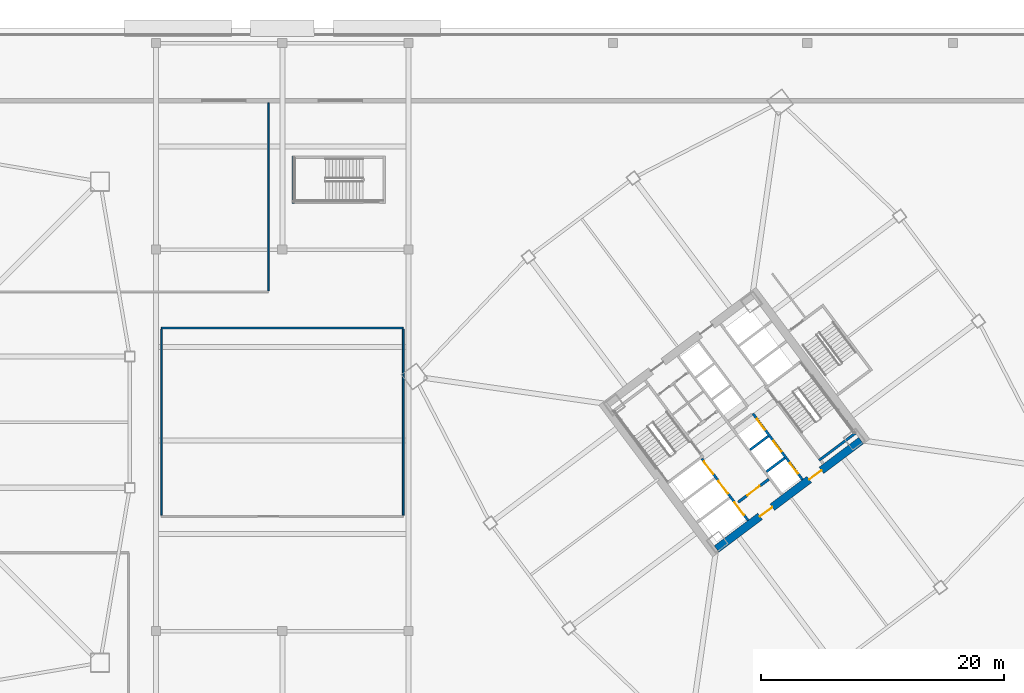
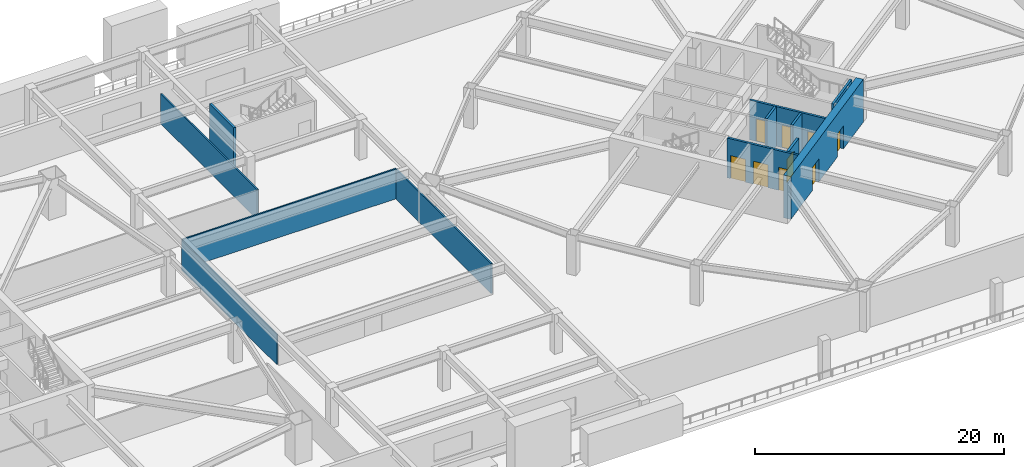
# One storey, part 8 of 20: 12 walls, 9 doors, 9 openings.
"""IFC4 building model written with IfcOpenShell, lengths in metres."""

import ifcopenshell
import ifcopenshell.guid

model = None  # the IFC model being written
_history = None  # IfcOwnerHistory: only IFC2X3 demands one
_inside = {}  # id of a spatial element -> (the spatial element, [elements in it])
_under = {}  # id of a project, library or spatial element -> (it, [spatial elements below it])
_declared = {}  # id of a project -> (the project, [libraries it declares])
_typed = {}  # id of a type object -> (the type object, [elements of that type])
_made_of = {}  # id of a material, layer set ... -> (it, [elements and type objects made of it])


def new_model(schema):
    """Start an empty IFC model of exactly this schema.

    Asked for "IFC4X3", IfcOpenShell would pick the latest addendum, in which some entities
    have other attributes; the version numbers below select the first issue.
    IFC2X3 requires an IfcOwnerHistory on every rooted entity: one is made here for all.
    """
    global model, _history
    if schema == "IFC4X3":
        model = ifcopenshell.file(schema_version=(4, 3, 0, 0))
    else:
        model = ifcopenshell.file(schema=schema)
    _inside.clear()
    _under.clear()
    _declared.clear()
    _typed.clear()
    _made_of.clear()
    _history = None
    if model.schema == "IFC2X3":
        org = make("IfcOrganization", Name="unknown")
        user = make(
            "IfcPersonAndOrganization",
            ThePerson=make("IfcPerson", FamilyName="unknown"),
            TheOrganization=org,
        )
        app = make(
            "IfcApplication",
            ApplicationDeveloper=org,
            Version="unknown",
            ApplicationFullName="unknown",
            ApplicationIdentifier="unknown",
        )
        _history = make(
            "IfcOwnerHistory",
            OwningUser=user,
            OwningApplication=app,
            ChangeAction="ADDED",
            CreationDate=0,
        )
    return model


def make(cls, **values):
    """One entity of the class cls with the attributes given. An attribute that is None is left unset."""
    return model.create_entity(
        cls, **{name: value for name, value in values.items() if value is not None}
    )


def rooted(cls, **values):
    """An entity with a GlobalId (a new one), such as an element, a storey or a relation."""
    return make(cls, GlobalId=ifcopenshell.guid.new(), OwnerHistory=_history, **values)


def si_unit(unit_type, name, prefix=None):
    """IfcSIUnit, for example si_unit("LENGTHUNIT", "METRE", prefix="MILLI")."""
    return make("IfcSIUnit", UnitType=unit_type, Prefix=prefix, Name=name)


def assignment(units):
    """IfcUnitAssignment: the units of a project."""
    return None if units is None else make("IfcUnitAssignment", Units=units)


def point(xyz):
    """IfcCartesianPoint."""
    return None if xyz is None else make("IfcCartesianPoint", Coordinates=xyz)


def direction(xyz):
    """IfcDirection."""
    return None if xyz is None else make("IfcDirection", DirectionRatios=xyz)


def frame(location, z_axis=None, x_axis=None):
    """IfcAxis2Placement3D, a coordinate frame: its origin and axes. An axis left out is left unset."""
    return make(
        "IfcAxis2Placement3D",
        Location=point(location),
        Axis=direction(z_axis),
        RefDirection=direction(x_axis),
    )


def frame_2d(location, x_axis=None):
    """IfcAxis2Placement2D, a coordinate frame in the plane: its origin and x axis."""
    return make(
        "IfcAxis2Placement2D", Location=point(location), RefDirection=direction(x_axis)
    )


def origin():
    """The frame at (0, 0, 0) with its axes left unset."""
    return frame((0.0, 0.0, 0.0))


def place(relative_to, where):
    """IfcLocalPlacement: puts the frame where relative to a parent placement (None: the world)."""
    return make(
        "IfcLocalPlacement", PlacementRelTo=relative_to, RelativePlacement=where
    )


def context(
    kind, dimensions, precision=None, world=None, true_north=None, identifier=None
):
    """IfcGeometricRepresentationContext, for example the 3D "Model" context."""
    return make(
        "IfcGeometricRepresentationContext",
        ContextIdentifier=identifier,
        ContextType=kind,
        CoordinateSpaceDimension=dimensions,
        Precision=precision,
        WorldCoordinateSystem=world,
        TrueNorth=true_north,
    )


def subcontext(parent, identifier, kind, view, scale=None):
    """IfcGeometricRepresentationSubContext, for example "Body" below "Model"."""
    return make(
        "IfcGeometricRepresentationSubContext",
        ContextIdentifier=identifier,
        ContextType=kind,
        ParentContext=parent,
        TargetScale=scale,
        TargetView=view,
    )


def project(units=None, contexts=None):
    """IfcProject with its units and contexts."""
    return rooted(
        "IfcProject",
        Name="project",
        RepresentationContexts=contexts,
        UnitsInContext=assignment(units),
    )


def spatial(cls, under=None, at=None, **own):
    """A site, building, storey or space (cls), placed at a placement, below another one or the project."""
    s = rooted(cls, ObjectPlacement=at, **own)
    if under is not None:
        _under.setdefault(under.id(), (under, []))[1].append(s)
    return s


def profile(cls, at=None, kind="AREA", **sizes):
    """A parametric profile (cls). Its sizes go by their IFC names, for example OverallWidth=200.0."""
    return make(cls, ProfileType=kind, Position=at, **sizes)


def rectangle(**sizes):
    """IfcRectangleProfileDef."""
    return profile("IfcRectangleProfileDef", **sizes)


def extrude(swept, where, along, depth):
    """IfcExtrudedAreaSolid: the profile swept, set in the frame where, extruded along a direction by depth."""
    return make(
        "IfcExtrudedAreaSolid",
        SweptArea=swept,
        Position=where,
        ExtrudedDirection=direction(along),
        Depth=depth,
    )


def shape(context_of_items, identifier, shape_type, items):
    """IfcShapeRepresentation: the items that make up one representation, for example the "Body"."""
    return make(
        "IfcShapeRepresentation",
        ContextOfItems=context_of_items,
        RepresentationIdentifier=identifier,
        RepresentationType=shape_type,
        Items=items,
    )


def material(Name=None, Category=None):
    """IfcMaterial."""
    return make("IfcMaterial", Name=Name, Category=Category)


def layer(
    of_material, thickness, ventilated=None, Name=None, Category=None, Priority=None
):
    """IfcMaterialLayer: one layer of a wall or slab, of a material (None: an air gap)."""
    return make(
        "IfcMaterialLayer",
        Material=of_material,
        LayerThickness=thickness,
        IsVentilated=ventilated,
        Name=Name,
        Category=Category,
        Priority=Priority,
    )


def layer_set(layers, Name=None):
    """IfcMaterialLayerSet."""
    return make("IfcMaterialLayerSet", MaterialLayers=layers, LayerSetName=Name)


def made_of(thing, what):
    """Note that an element or type object is made of a material, layer set ...; save() writes the relation."""
    if what is not None:
        _made_of.setdefault(what.id(), (what, []))[1].append(thing)
    return thing


def type_object(cls, material=None, **own):
    """A type object (cls), such as IfcWallType, which elements share."""
    return made_of(rooted(cls, **own), material)


def element(
    cls,
    number,
    at=None,
    inside=None,
    cuts=None,
    type_object=None,
    material=None,
    context=None,
    identifier="Body",
    shape_type=None,
    held_by="IfcProductDefinitionShape",
    body=None,
    shapes=None,
    **own,
):
    """One element of the class cls, such as IfcWall. Its Tag is "e" and its number.

    at: its placement. inside: the storey or other place that contains it. cuts: it is an
    opening in that element (IfcRelVoidsElement). A single representation is given by context,
    identifier, shape_type and body (its items); several are given by shapes. held_by: the class
    of the entity that holds the representations. save() writes the other relations.
    """
    e = rooted(cls, Tag="e%d" % number, ObjectPlacement=at, **own)
    if body is not None:
        shapes = [shape(context, identifier, shape_type, body)]
    if shapes is not None:
        e.Representation = make(held_by, Representations=shapes)
    if inside is not None:
        _inside.setdefault(inside.id(), (inside, []))[1].append(e)
    if cuts is not None:
        rooted(
            "IfcRelVoidsElement", RelatingBuildingElement=cuts, RelatedOpeningElement=e
        )
    if type_object is not None:
        _typed.setdefault(type_object.id(), (type_object, []))[1].append(e)
    return made_of(e, material)


def fill(opening, filler):
    """IfcRelFillsElement: the door or window that sits in an opening."""
    return rooted(
        "IfcRelFillsElement",
        RelatingOpeningElement=opening,
        RelatedBuildingElement=filler,
    )


def aggregate(whole, parts):
    """IfcRelAggregates: a whole, such as a stair, and the parts it consists of."""
    return rooted("IfcRelAggregates", RelatingObject=whole, RelatedObjects=parts)


def save(model, path):
    """Write the relations noted so far, then the file.

    IfcRelAggregates (storeys below a building ...), IfcRelContainedInSpatialStructure (elements
    in a storey), IfcRelDefinesByType, IfcRelAssociatesMaterial and IfcRelDeclares: one each for
    every whole, place, type object, material and project.
    """
    for whole, parts in _under.values():
        aggregate(whole, parts)
    for where, things in _inside.values():
        rooted(
            "IfcRelContainedInSpatialStructure",
            RelatedElements=things,
            RelatingStructure=where,
        )
    for kind, things in _typed.values():
        rooted("IfcRelDefinesByType", RelatedObjects=things, RelatingType=kind)
    for what, things in _made_of.values():
        rooted("IfcRelAssociatesMaterial", RelatedObjects=things, RelatingMaterial=what)
    for by, libraries in _declared.values():
        rooted("IfcRelDeclares", RelatingContext=by, RelatedDefinitions=libraries)
    model.write(path)


model = new_model("IFC4")

# Units and contexts
model_context = context("Model", 3, precision=1e-05, world=origin(), true_north=direction((0.0, 1.0)))
body_context = subcontext(model_context, "Body", "Model", "MODEL_VIEW")
ifc_project = project(units=[si_unit("LENGTHUNIT", "METRE"), si_unit("AREAUNIT", "SQUARE_METRE"), si_unit("VOLUMEUNIT", "CUBIC_METRE"), si_unit("PLANEANGLEUNIT", "RADIAN"), si_unit("MASSUNIT", "GRAM", prefix="KILO")], contexts=[model_context])

# Site, building, storey
site_placement = place(None, origin())
site = spatial("IfcSite", under=ifc_project, at=site_placement, CompositionType="ELEMENT")
building_placement = place(site_placement, origin())
building = spatial("IfcBuilding", under=site, at=building_placement, Name="Tashvorn Skyway Center", CompositionType="ELEMENT")
storey_placement = place(building_placement, frame((0.0, 0.0, 15.60009765625)))
storey = spatial("IfcBuildingStorey", under=building, at=storey_placement, Name="L03", CompositionType="ELEMENT", Elevation=15.60009765625)

# Wall, openings, doors
ifc_material_1 = material(Name="Concrete C60/75", Category="concrete")
ifc_layer_1 = layer(ifc_material_1, 0.64990234375)
ifc_layer_set_1 = layer_set([ifc_layer_1], Name="Concrete C60/75")
wall_type_1 = type_object("IfcWallType", Name="WALL-CORE-650", PredefinedType="SHEAR", material=ifc_layer_set_1)
wall_1_placement = place(storey_placement, frame((124.428955078125, 30.47802734375, 0.0), z_axis=(0.0, 0.0, 1.0), x_axis=(-0.799998028465, -0.600002628705, 0.0)))
wall_1 = element("IfcWall", 1, at=wall_1_placement, inside=storey, type_object=wall_type_1, Name="Tower 2 L03 South Core Shear Wall", PredefinedType="SHEAR", context=body_context, shape_type="SweptSolid", body=[
    extrude(rectangle(XDim=14.85986328125, YDim=0.64990234375, at=frame_2d((7.429931640625, 0.0))), origin(), (0.0, 0.0, 1.0), 4.199951171875),
])
opening_1_placement = place(wall_1_placement, frame((9.1298828125, 0.0, 0.0)))
opening_1 = element("IfcOpeningElement", 2, at=opening_1_placement, cuts=wall_1, Name="Opening D-FFL-1250", PredefinedType="OPENING", context=body_context, shape_type="SweptSolid", body=[
    extrude(rectangle(XDim=1.25, YDim=2.25, at=frame_2d((0.625, 1.125))), frame((0.0, 0.3349609375, 0.0), z_axis=(0.0, -1.0, 0.0), x_axis=(1.0, 0.0, 0.0)), (0.0, 0.0, 1.0), 0.669921875),
])
opening_2_placement = place(wall_1_placement, frame((4.080078125, 0.0, 0.0)))
opening_2 = element("IfcOpeningElement", 3, at=opening_2_placement, cuts=wall_1, Name="Opening D-FFL-1250", PredefinedType="OPENING", context=body_context, shape_type="SweptSolid", body=[
    extrude(rectangle(XDim=1.25, YDim=2.25, at=frame_2d((0.625, 1.125))), frame((0.0, 0.3349609375, 0.0), z_axis=(0.0, -1.0, 0.0), x_axis=(1.0, 0.0, 0.0)), (0.0, 0.0, 1.0), 0.669921875),
])
ifc_material_2 = material(Name="Hollow galvanized steel fire door assembly", Category="steel")
door_type_1 = type_object("IfcDoorType", Name="DOOR-FFL-1250", OperationType="NOTDEFINED", PredefinedType="DOOR", material=ifc_material_2)
door_1_placement = place(opening_1_placement, origin())
door_1 = element("IfcDoor", 4, at=door_1_placement, inside=storey, type_object=door_type_1, Name="Tower 2 L03 Core South Firefighting Exit Door", OperationType="SINGLE_SWING_LEFT", OverallHeight=2.25, OverallWidth=1.25, PredefinedType="DOOR", context=body_context, shape_type="SweptSolid", body=[
    extrude(rectangle(XDim=1.25, YDim=2.25, at=frame_2d((0.625, 1.125))), frame((0.0, 0.02490234375, 0.0), z_axis=(0.0, -1.0, 0.0), x_axis=(1.0, 0.0, 0.0)), (0.0, 0.0, 1.0), 0.050048828125),
])
fill(opening_1, door_1)
door_2_placement = place(opening_2_placement, origin())
door_2 = element("IfcDoor", 5, at=door_2_placement, inside=storey, type_object=door_type_1, Name="Tower 2 L03 Core South Lift Lobby Door", OperationType="SINGLE_SWING_RIGHT", OverallHeight=2.25, OverallWidth=1.25, PredefinedType="DOOR", context=body_context, shape_type="SweptSolid", body=[
    extrude(rectangle(XDim=1.25, YDim=2.25, at=frame_2d((0.625, 1.125))), frame((0.0, 0.02490234375, 0.0), z_axis=(0.0, -1.0, 0.0), x_axis=(1.0, 0.0, 0.0)), (0.0, 0.0, 1.0), 0.050048828125),
])
fill(opening_2, door_2)

# Wall, opening, door
ifc_material_3 = material(Name="Concrete C40/50", Category="concrete")
ifc_layer_2 = layer(ifc_material_3, 0.219970703125)
ifc_layer_set_2 = layer_set([ifc_layer_2], Name="Concrete C40/50")
wall_type_2 = type_object("IfcWallType", Name="WALL-FFL-220", PredefinedType="SOLIDWALL", material=ifc_layer_set_2)
wall_2_placement = place(storey_placement, frame((114.31591796875, 25.412109375, 0.0), z_axis=(0.0, 0.0, 1.0), x_axis=(0.800018601094, 0.59997519774, 0.0)))
wall_2 = element("IfcWall", 6, at=wall_2_placement, inside=storey, type_object=wall_type_2, Name="Tower 2 L03 Firefighting Lobby South Wall", PredefinedType="SOLIDWALL", context=body_context, shape_type="SweptSolid", body=[
    extrude(rectangle(XDim=3.14990234375, YDim=0.219970703125, at=frame_2d((1.574951171875, 0.0))), origin(), (0.0, 0.0, 1.0), 2.94287109375),
])
opening_3_placement = place(wall_2_placement, frame((0.949951171875, 0.0, 0.0)))
opening_3 = element("IfcOpeningElement", 7, at=opening_3_placement, cuts=wall_2, Name="Opening D-FFL-1250", PredefinedType="OPENING", context=body_context, shape_type="SweptSolid", body=[
    extrude(rectangle(XDim=1.25, YDim=2.25, at=frame_2d((0.625, 1.125))), frame((0.0, 0.119873046875, 0.0), z_axis=(0.0, -1.0, 0.0), x_axis=(1.0, 0.0, 0.0)), (0.0, 0.0, 1.0), 0.239990234375),
])
door_3_placement = place(opening_3_placement, origin())
door_3 = element("IfcDoor", 8, at=door_3_placement, inside=storey, type_object=door_type_1, Name="Tower 2 L03 Firefighting Lobby Egress Door", OperationType="SINGLE_SWING_LEFT", OverallHeight=2.25, OverallWidth=1.25, PredefinedType="DOOR", context=body_context, shape_type="SweptSolid", body=[
    extrude(rectangle(XDim=1.25, YDim=2.25, at=frame_2d((0.625, 1.125))), frame((0.0, 0.02490234375, 0.0), z_axis=(0.0, -1.0, 0.0), x_axis=(1.0, 0.0, 0.0)), (0.0, 0.0, 1.0), 0.050048828125),
])
fill(opening_3, door_3)

# Walls
ifc_material_4 = material(Name="Gypsum board on cold-formed steel stud framing", Category="steel")
ifc_layer_3 = layer(ifc_material_4, 0.135009765625)
ifc_layer_set_3 = layer_set([ifc_layer_3], Name="Gypsum board on cold-formed steel stud framing")
wall_type_3 = type_object("IfcWallType", Name="WALL-PART-135", PredefinedType="PARTITIONING", material=ifc_layer_set_3)
for number, where, z_axis, x_axis, name in (
    (9, (66.85009765625, 24.35009765625, 0.0), (0.0, 0.0, 1.0), (0.0, 1.0, 0.0), "L03 Central Hall West Wall"),
    (10, (86.75, 24.35009765625, 0.0), (0.0, 0.0, 1.0), (0.0, 1.0, 0.0), "L03 Central Hall East Wall"),
):
    element("IfcWall", number, at=place(storey_placement, frame(where, z_axis=z_axis, x_axis=x_axis)), inside=storey, type_object=wall_type_3, Name=name, PredefinedType="PARTITIONING", context=body_context, shape_type="SweptSolid", body=[
        extrude(rectangle(XDim=15.2998046875, YDim=0.135009765625, at=frame_2d((7.64990234375, 0.0))), origin(), (0.0, 0.0, 1.0), 2.94287109375),
    ])
wall_3_placement = place(storey_placement, frame((66.85009765625, 39.75, 0.0), z_axis=(0.0, 0.0, 1.0), x_axis=(1.0, 0.0, 0.0)))
element("IfcWall", 11, at=wall_3_placement, inside=storey, type_object=wall_type_3, Name="L03 Central Hall North Wall", PredefinedType="PARTITIONING", context=body_context, shape_type="SweptSolid", body=[
    extrude(rectangle(XDim=19.89990234375, YDim=0.135009765625, at=frame_2d((9.949951171875, 0.0))), origin(), (0.0, 0.0, 1.0), 2.94287109375),
])
wall_4_placement = place(storey_placement, frame((75.64990234375, 42.800048828125, 0.0), z_axis=(0.0, 0.0, 1.0), x_axis=(0.0, 1.0, 0.0)))
element("IfcWall", 12, at=wall_4_placement, inside=storey, type_object=wall_type_3, Name="L03 North Suite East Wall", PredefinedType="PARTITIONING", context=body_context, shape_type="SweptSolid", body=[
    extrude(rectangle(XDim=15.469970703125, YDim=0.135009765625, at=frame_2d((7.73486328125, 0.0))), origin(), (0.0, 0.0, 1.0), 2.94287109375),
])

# Wall, openings, doors
ifc_layer_4 = layer(ifc_material_3, 0.199951171875)
ifc_layer_set_4 = layer_set([ifc_layer_4], Name="Concrete C40/50")
wall_type_4 = type_object("IfcWallType", Name="WALL-SHAFT-200", PredefinedType="SOLIDWALL", material=ifc_layer_set_4)
wall_5_placement = place(storey_placement, frame((119.610107421875, 27.27001953125, 0.0), z_axis=(0.0, 0.0, 1.0), x_axis=(-0.600011488909, 0.79999138319, 0.0)))
wall_5 = element("IfcWall", 13, at=wall_5_placement, inside=storey, type_object=wall_type_4, Name="Tower 2 L03 Low-Rise Core Wall", PredefinedType="SOLIDWALL", context=body_context, shape_type="SweptSolid", body=[
    extrude(rectangle(XDim=6.800048828125, YDim=0.199951171875, at=frame_2d((3.39990234375, 0.0))), origin(), (0.0, 0.0, 1.0), 3.89990234375),
])
opening_4_placement = place(wall_5_placement, frame((0.625, 0.0, 0.0)))
opening_4 = element("IfcOpeningElement", 14, at=opening_4_placement, cuts=wall_5, Name="Opening LD-LR-T2-1-L03", PredefinedType="OPENING", context=body_context, shape_type="SweptSolid", body=[
    extrude(rectangle(XDim=1.10009765625, YDim=2.199951171875, at=frame_2d((0.550048828125, 1.10009765625))), frame((0.0, 0.10986328125, 0.0), z_axis=(0.0, -1.0, 0.0), x_axis=(1.0, 0.0, 0.0)), (0.0, 0.0, 1.0), 0.219970703125),
])
opening_5_placement = place(wall_5_placement, frame((2.875, 0.0, 0.0)))
opening_5 = element("IfcOpeningElement", 15, at=opening_5_placement, cuts=wall_5, Name="Opening LD-LR-T2-2-L03", PredefinedType="OPENING", context=body_context, shape_type="SweptSolid", body=[
    extrude(rectangle(XDim=1.10009765625, YDim=2.199951171875, at=frame_2d((0.550048828125, 1.10009765625))), frame((0.0, 0.10986328125, 0.0), z_axis=(0.0, -1.0, 0.0), x_axis=(1.0, 0.0, 0.0)), (0.0, 0.0, 1.0), 0.219970703125),
])
opening_6_placement = place(wall_5_placement, frame((5.125, 0.0, 0.0)))
opening_6 = element("IfcOpeningElement", 16, at=opening_6_placement, cuts=wall_5, Name="Opening LD-LR-T2-3-L03", PredefinedType="OPENING", context=body_context, shape_type="SweptSolid", body=[
    extrude(rectangle(XDim=1.10009765625, YDim=2.199951171875, at=frame_2d((0.550048828125, 1.10009765625))), frame((0.0, 0.10986328125, 0.0), z_axis=(0.0, -1.0, 0.0), x_axis=(1.0, 0.0, 0.0)), (0.0, 0.0, 1.0), 0.219970703125),
])
ifc_material_5 = material(Name="Stainless steel landing door", Category="steel")
door_type_2 = type_object("IfcDoorType", Name="DOOR-LIFT-1100", OperationType="SLIDING_TO_LEFT", PredefinedType="DOOR", material=ifc_material_5)
door_4_placement = place(opening_4_placement, origin())
door_4 = element("IfcDoor", 17, at=door_4_placement, inside=storey, type_object=door_type_2, Name="Lift LR-T2-1 L03 Landing Door", OperationType="SLIDING_TO_LEFT", OverallHeight=2.199951171875, OverallWidth=1.10009765625, PredefinedType="DOOR", context=body_context, shape_type="SweptSolid", body=[
    extrude(rectangle(XDim=1.10009765625, YDim=2.199951171875, at=frame_2d((0.550048828125, 1.10009765625))), frame((0.0, 0.02490234375, 0.0), z_axis=(0.0, -1.0, 0.0), x_axis=(1.0, 0.0, 0.0)), (0.0, 0.0, 1.0), 0.050048828125),
])
fill(opening_4, door_4)
door_5_placement = place(opening_5_placement, origin())
door_5 = element("IfcDoor", 18, at=door_5_placement, inside=storey, type_object=door_type_2, Name="Lift LR-T2-2 L03 Landing Door", OperationType="SLIDING_TO_LEFT", OverallHeight=2.199951171875, OverallWidth=1.10009765625, PredefinedType="DOOR", context=body_context, shape_type="SweptSolid", body=[
    extrude(rectangle(XDim=1.10009765625, YDim=2.199951171875, at=frame_2d((0.550048828125, 1.10009765625))), frame((0.0, 0.02490234375, 0.0), z_axis=(0.0, -1.0, 0.0), x_axis=(1.0, 0.0, 0.0)), (0.0, 0.0, 1.0), 0.050048828125),
])
fill(opening_5, door_5)
door_6_placement = place(opening_6_placement, origin())
door_6 = element("IfcDoor", 19, at=door_6_placement, inside=storey, type_object=door_type_2, Name="Lift LR-T2-3 L03 Landing Door", OperationType="SLIDING_TO_LEFT", OverallHeight=2.199951171875, OverallWidth=1.10009765625, PredefinedType="DOOR", context=body_context, shape_type="SweptSolid", body=[
    extrude(rectangle(XDim=1.10009765625, YDim=2.199951171875, at=frame_2d((0.550048828125, 1.10009765625))), frame((0.0, 0.02490234375, 0.0), z_axis=(0.0, -1.0, 0.0), x_axis=(1.0, 0.0, 0.0)), (0.0, 0.0, 1.0), 0.050048828125),
])
fill(opening_6, door_6)

# Walls
wall_6_placement = place(storey_placement, frame((116.64599609375, 27.922119140625, 0.0), z_axis=(0.0, 0.0, 1.0), x_axis=(0.8, 0.6, 0.0)))
element("IfcWall", 20, at=wall_6_placement, inside=storey, type_object=wall_type_4, Name="Tower 2 L03 Low-Rise Shaft Divider", PredefinedType="SOLIDWALL", context=body_context, shape_type="SweptSolid", body=[
    extrude(rectangle(XDim=1.8798828125, YDim=0.199951171875, at=frame_2d((0.93994140625, 0.0))), origin(), (0.0, 0.0, 1.0), 3.89990234375),
])
wall_7_placement = place(storey_placement, frame((115.2958984375, 29.721923828125, 0.0), z_axis=(0.0, 0.0, 1.0), x_axis=(0.799984418148, 0.600020775241, 0.0)))
element("IfcWall", 21, at=wall_7_placement, inside=storey, type_object=wall_type_4, Name="Tower 2 L03 Low-Rise Shaft Divider", PredefinedType="SOLIDWALL", context=body_context, shape_type="SweptSolid", body=[
    extrude(rectangle(XDim=1.880126953125, YDim=0.199951171875, at=frame_2d((0.93994140625, 0.0))), origin(), (0.0, 0.0, 1.0), 3.89990234375),
])
ifc_layer_5 = layer(ifc_material_3, 0.199951171875)
ifc_layer_set_5 = layer_set([ifc_layer_5], Name="Concrete C40/50")
wall_type_5 = type_object("IfcWallType", Name="WALL-STSHF-200", PredefinedType="SHEAR", material=ifc_layer_set_5)
wall_8_placement = place(storey_placement, frame((120.97998046875, 28.860107421875, 0.0), z_axis=(0.0, 0.0, 1.0), x_axis=(0.800039270442, 0.59994763584, 0.0)))
element("IfcWall", 22, at=wall_8_placement, inside=storey, type_object=wall_type_5, Name="Tower 2 L03 Stair 2 South Wall", PredefinedType="SHEAR", context=body_context, shape_type="SweptSolid", body=[
    extrude(rectangle(XDim=3.72998046875, YDim=0.199951171875, at=frame_2d((1.864990234375, 0.0))), origin(), (0.0, 0.0, 1.0), 3.89990234375),
])

# Wall, openings, doors
wall_9_placement = place(storey_placement, frame((115.1298828125, 23.909912109375, 0.0), z_axis=(0.0, 0.0, 1.0), x_axis=(-0.599975393228, 0.800018454488, 0.0)))
wall_9 = element("IfcWall", 23, at=wall_9_placement, inside=storey, type_object=wall_type_5, Name="Tower 2 L03 FSAE and Goods Shaft Front Wall", PredefinedType="SHEAR", context=body_context, shape_type="SweptSolid", body=[
    extrude(rectangle(XDim=6.349853515625, YDim=0.199951171875, at=frame_2d((3.1748046875, 0.0))), origin(), (0.0, 0.0, 1.0), 3.89990234375),
])
opening_7_placement = place(wall_9_placement, frame((4.77490234375, 0.0, 0.0)))
opening_7 = element("IfcOpeningElement", 24, at=opening_7_placement, cuts=wall_9, Name="Opening LD-FF-T2-1-L03", PredefinedType="OPENING", context=body_context, shape_type="SweptSolid", body=[
    extrude(rectangle(XDim=1.300048828125, YDim=2.25, at=frame_2d((0.64990234375, 1.125))), frame((0.0, 0.10986328125, 0.0), z_axis=(0.0, -1.0, 0.0), x_axis=(1.0, 0.0, 0.0)), (0.0, 0.0, 1.0), 0.219970703125),
])
opening_8_placement = place(wall_9_placement, frame((2.77490234375, 0.0, 0.0)))
opening_8 = element("IfcOpeningElement", 25, at=opening_8_placement, cuts=wall_9, Name="Opening LD-FF-T2-2-L03", PredefinedType="OPENING", context=body_context, shape_type="SweptSolid", body=[
    extrude(rectangle(XDim=1.300048828125, YDim=2.25, at=frame_2d((0.64990234375, 1.125))), frame((0.0, 0.10986328125, 0.0), z_axis=(0.0, -1.0, 0.0), x_axis=(1.0, 0.0, 0.0)), (0.0, 0.0, 1.0), 0.219970703125),
])
opening_9_placement = place(wall_9_placement, frame((0.574951171875, 0.0, 0.0)))
opening_9 = element("IfcOpeningElement", 26, at=opening_9_placement, cuts=wall_9, Name="Opening LD-GD-T2-1-L03", PredefinedType="OPENING", context=body_context, shape_type="SweptSolid", body=[
    extrude(rectangle(XDim=1.300048828125, YDim=2.25, at=frame_2d((0.64990234375, 1.125))), frame((0.0, 0.10986328125, 0.0), z_axis=(0.0, -1.0, 0.0), x_axis=(1.0, 0.0, 0.0)), (0.0, 0.0, 1.0), 0.219970703125),
])
ifc_material_6 = material(Name="Stainless steel heavy-duty landing door", Category="steel")
door_type_3 = type_object("IfcDoorType", Name="DOOR-LIFT-1300", OperationType="SLIDING_TO_LEFT", PredefinedType="DOOR", material=ifc_material_6)
door_7_placement = place(opening_7_placement, origin())
door_7 = element("IfcDoor", 27, at=door_7_placement, inside=storey, type_object=door_type_3, Name="Lift FF-T2-1 L03 Landing Door", OperationType="SLIDING_TO_LEFT", OverallHeight=2.25, OverallWidth=1.300048828125, PredefinedType="DOOR", context=body_context, shape_type="SweptSolid", body=[
    extrude(rectangle(XDim=1.300048828125, YDim=2.25, at=frame_2d((0.64990234375, 1.125))), frame((0.0, 0.02490234375, 0.0), z_axis=(0.0, -1.0, 0.0), x_axis=(1.0, 0.0, 0.0)), (0.0, 0.0, 1.0), 0.050048828125),
])
fill(opening_7, door_7)
door_8_placement = place(opening_8_placement, origin())
door_8 = element("IfcDoor", 28, at=door_8_placement, inside=storey, type_object=door_type_3, Name="Lift FF-T2-2 L03 Landing Door", OperationType="SLIDING_TO_LEFT", OverallHeight=2.25, OverallWidth=1.300048828125, PredefinedType="DOOR", context=body_context, shape_type="SweptSolid", body=[
    extrude(rectangle(XDim=1.300048828125, YDim=2.25, at=frame_2d((0.64990234375, 1.125))), frame((0.0, 0.02490234375, 0.0), z_axis=(0.0, -1.0, 0.0), x_axis=(1.0, 0.0, 0.0)), (0.0, 0.0, 1.0), 0.050048828125),
])
fill(opening_8, door_8)
door_9_placement = place(opening_9_placement, origin())
door_9 = element("IfcDoor", 29, at=door_9_placement, inside=storey, type_object=door_type_3, Name="Lift GD-T2-1 L03 Landing Door", OperationType="SLIDING_TO_LEFT", OverallHeight=2.25, OverallWidth=1.300048828125, PredefinedType="DOOR", context=body_context, shape_type="SweptSolid", body=[
    extrude(rectangle(XDim=1.300048828125, YDim=2.25, at=frame_2d((0.64990234375, 1.125))), frame((0.0, 0.02490234375, 0.0), z_axis=(0.0, -1.0, 0.0), x_axis=(1.0, 0.0, 0.0)), (0.0, 0.0, 1.0), 0.050048828125),
])
fill(opening_9, door_9)

# Wall
wall_10_placement = place(storey_placement, frame((77.699951171875, 50.0, 0.0), z_axis=(0.0, 0.0, 1.0), x_axis=(0.0, 1.0, 0.0)))
element("IfcWall", 30, at=wall_10_placement, inside=storey, type_object=wall_type_5, Name="L03 Podium Stair 2 West Wall", PredefinedType="SHEAR", context=body_context, shape_type="SweptSolid", body=[
    extrude(rectangle(XDim=3.89990234375, YDim=0.199951171875, at=frame_2d((1.949951171875, 0.0))), origin(), (0.0, 0.0, 1.0), 3.89990234375),
])

save(model, "model.ifc")
